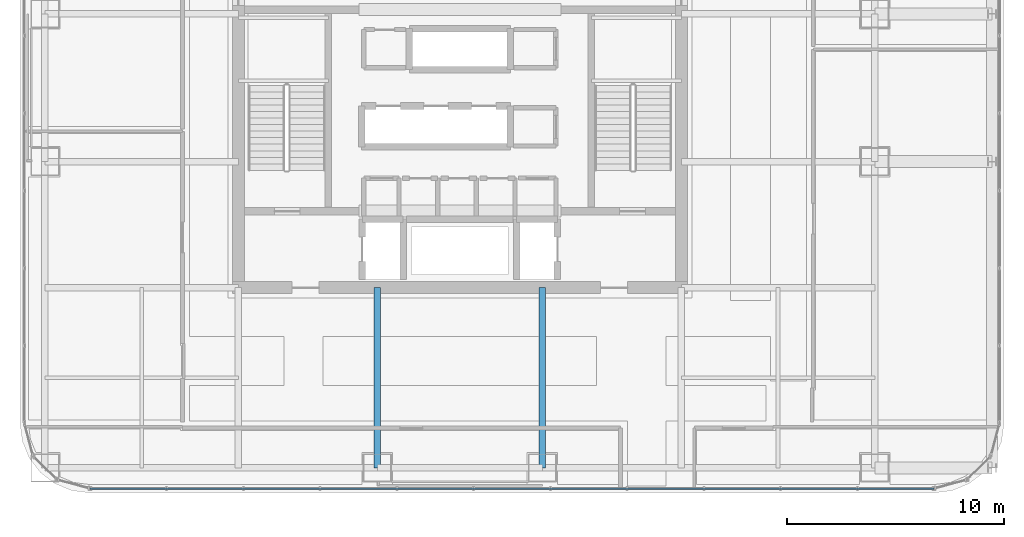
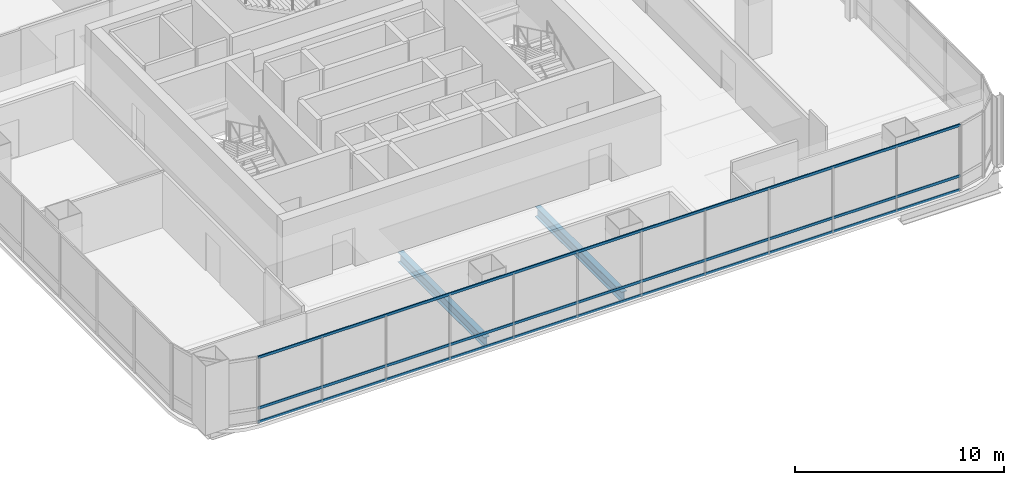
# One storey, part 7 of 40: 3 members, 2 beams, 1 element without a shape of its own.
"""IFC4 building model written with IfcOpenShell, lengths in metres."""

import ifcopenshell
import ifcopenshell.guid

model = None  # the IFC model being written
_history = None  # IfcOwnerHistory: only IFC2X3 demands one
_inside = {}  # id of a spatial element -> (the spatial element, [elements in it])
_under = {}  # id of a project, library or spatial element -> (it, [spatial elements below it])
_declared = {}  # id of a project -> (the project, [libraries it declares])
_typed = {}  # id of a type object -> (the type object, [elements of that type])
_made_of = {}  # id of a material, layer set ... -> (it, [elements and type objects made of it])


def new_model(schema):
    """Start an empty IFC model of exactly this schema.

    Asked for "IFC4X3", IfcOpenShell would pick the latest addendum, in which some entities
    have other attributes; the version numbers below select the first issue.
    IFC2X3 requires an IfcOwnerHistory on every rooted entity: one is made here for all.
    """
    global model, _history
    if schema == "IFC4X3":
        model = ifcopenshell.file(schema_version=(4, 3, 0, 0))
    else:
        model = ifcopenshell.file(schema=schema)
    _inside.clear()
    _under.clear()
    _declared.clear()
    _typed.clear()
    _made_of.clear()
    _history = None
    if model.schema == "IFC2X3":
        org = make("IfcOrganization", Name="unknown")
        user = make(
            "IfcPersonAndOrganization",
            ThePerson=make("IfcPerson", FamilyName="unknown"),
            TheOrganization=org,
        )
        app = make(
            "IfcApplication",
            ApplicationDeveloper=org,
            Version="unknown",
            ApplicationFullName="unknown",
            ApplicationIdentifier="unknown",
        )
        _history = make(
            "IfcOwnerHistory",
            OwningUser=user,
            OwningApplication=app,
            ChangeAction="ADDED",
            CreationDate=0,
        )
    return model


def make(cls, **values):
    """One entity of the class cls with the attributes given. An attribute that is None is left unset."""
    return model.create_entity(
        cls, **{name: value for name, value in values.items() if value is not None}
    )


def rooted(cls, **values):
    """An entity with a GlobalId (a new one), such as an element, a storey or a relation."""
    return make(cls, GlobalId=ifcopenshell.guid.new(), OwnerHistory=_history, **values)


def si_unit(unit_type, name, prefix=None):
    """IfcSIUnit, for example si_unit("LENGTHUNIT", "METRE", prefix="MILLI")."""
    return make("IfcSIUnit", UnitType=unit_type, Prefix=prefix, Name=name)


def assignment(units):
    """IfcUnitAssignment: the units of a project."""
    return None if units is None else make("IfcUnitAssignment", Units=units)


def point(xyz):
    """IfcCartesianPoint."""
    return None if xyz is None else make("IfcCartesianPoint", Coordinates=xyz)


def direction(xyz):
    """IfcDirection."""
    return None if xyz is None else make("IfcDirection", DirectionRatios=xyz)


def frame(location, z_axis=None, x_axis=None):
    """IfcAxis2Placement3D, a coordinate frame: its origin and axes. An axis left out is left unset."""
    return make(
        "IfcAxis2Placement3D",
        Location=point(location),
        Axis=direction(z_axis),
        RefDirection=direction(x_axis),
    )


def frame_2d(location, x_axis=None):
    """IfcAxis2Placement2D, a coordinate frame in the plane: its origin and x axis."""
    return make(
        "IfcAxis2Placement2D", Location=point(location), RefDirection=direction(x_axis)
    )


def origin():
    """The frame at (0, 0, 0) with its axes left unset."""
    return frame((0.0, 0.0, 0.0))


def origin_2d():
    """The frame at (0, 0) in the plane with its x axis left unset."""
    return frame_2d((0.0, 0.0))


def place(relative_to, where):
    """IfcLocalPlacement: puts the frame where relative to a parent placement (None: the world)."""
    return make(
        "IfcLocalPlacement", PlacementRelTo=relative_to, RelativePlacement=where
    )


def context(
    kind, dimensions, precision=None, world=None, true_north=None, identifier=None
):
    """IfcGeometricRepresentationContext, for example the 3D "Model" context."""
    return make(
        "IfcGeometricRepresentationContext",
        ContextIdentifier=identifier,
        ContextType=kind,
        CoordinateSpaceDimension=dimensions,
        Precision=precision,
        WorldCoordinateSystem=world,
        TrueNorth=true_north,
    )


def subcontext(parent, identifier, kind, view, scale=None):
    """IfcGeometricRepresentationSubContext, for example "Body" below "Model"."""
    return make(
        "IfcGeometricRepresentationSubContext",
        ContextIdentifier=identifier,
        ContextType=kind,
        ParentContext=parent,
        TargetScale=scale,
        TargetView=view,
    )


def project(units=None, contexts=None):
    """IfcProject with its units and contexts."""
    return rooted(
        "IfcProject",
        Name="project",
        RepresentationContexts=contexts,
        UnitsInContext=assignment(units),
    )


def spatial(cls, under=None, at=None, **own):
    """A site, building, storey or space (cls), placed at a placement, below another one or the project."""
    s = rooted(cls, ObjectPlacement=at, **own)
    if under is not None:
        _under.setdefault(under.id(), (under, []))[1].append(s)
    return s


def profile(cls, at=None, kind="AREA", **sizes):
    """A parametric profile (cls). Its sizes go by their IFC names, for example OverallWidth=200.0."""
    return make(cls, ProfileType=kind, Position=at, **sizes)


def hollow_rectangle(**sizes):
    """IfcRectangleHollowProfileDef."""
    return profile("IfcRectangleHollowProfileDef", **sizes)


def i_section(**sizes):
    """IfcIShapeProfileDef."""
    return profile("IfcIShapeProfileDef", **sizes)


def extrude(swept, where, along, depth):
    """IfcExtrudedAreaSolid: the profile swept, set in the frame where, extruded along a direction by depth."""
    return make(
        "IfcExtrudedAreaSolid",
        SweptArea=swept,
        Position=where,
        ExtrudedDirection=direction(along),
        Depth=depth,
    )


def shape(context_of_items, identifier, shape_type, items):
    """IfcShapeRepresentation: the items that make up one representation, for example the "Body"."""
    return make(
        "IfcShapeRepresentation",
        ContextOfItems=context_of_items,
        RepresentationIdentifier=identifier,
        RepresentationType=shape_type,
        Items=items,
    )


def material(Name=None, Category=None):
    """IfcMaterial."""
    return make("IfcMaterial", Name=Name, Category=Category)


def material_profile(
    of_material, cross_section, Name=None, Category=None, Priority=None
):
    """IfcMaterialProfile: a cross section and its material."""
    return make(
        "IfcMaterialProfile",
        Name=Name,
        Material=of_material,
        Profile=cross_section,
        Priority=Priority,
        Category=Category,
    )


def profile_set(profiles, Name=None, composite=None):
    """IfcMaterialProfileSet."""
    return make(
        "IfcMaterialProfileSet",
        Name=Name,
        MaterialProfiles=profiles,
        CompositeProfile=composite,
    )


def made_of(thing, what):
    """Note that an element or type object is made of a material, layer set ...; save() writes the relation."""
    if what is not None:
        _made_of.setdefault(what.id(), (what, []))[1].append(thing)
    return thing


def type_object(cls, material=None, **own):
    """A type object (cls), such as IfcWallType, which elements share."""
    return made_of(rooted(cls, **own), material)


def element(
    cls,
    number,
    at=None,
    inside=None,
    cuts=None,
    type_object=None,
    material=None,
    context=None,
    identifier="Body",
    shape_type=None,
    held_by="IfcProductDefinitionShape",
    body=None,
    shapes=None,
    **own,
):
    """One element of the class cls, such as IfcWall. Its Tag is "e" and its number.

    at: its placement. inside: the storey or other place that contains it. cuts: it is an
    opening in that element (IfcRelVoidsElement). A single representation is given by context,
    identifier, shape_type and body (its items); several are given by shapes. held_by: the class
    of the entity that holds the representations. save() writes the other relations.
    """
    e = rooted(cls, Tag="e%d" % number, ObjectPlacement=at, **own)
    if body is not None:
        shapes = [shape(context, identifier, shape_type, body)]
    if shapes is not None:
        e.Representation = make(held_by, Representations=shapes)
    if inside is not None:
        _inside.setdefault(inside.id(), (inside, []))[1].append(e)
    if cuts is not None:
        rooted(
            "IfcRelVoidsElement", RelatingBuildingElement=cuts, RelatedOpeningElement=e
        )
    if type_object is not None:
        _typed.setdefault(type_object.id(), (type_object, []))[1].append(e)
    return made_of(e, material)


def aggregate(whole, parts):
    """IfcRelAggregates: a whole, such as a stair, and the parts it consists of."""
    return rooted("IfcRelAggregates", RelatingObject=whole, RelatedObjects=parts)


def save(model, path):
    """Write the relations noted so far, then the file.

    IfcRelAggregates (storeys below a building ...), IfcRelContainedInSpatialStructure (elements
    in a storey), IfcRelDefinesByType, IfcRelAssociatesMaterial and IfcRelDeclares: one each for
    every whole, place, type object, material and project.
    """
    for whole, parts in _under.values():
        aggregate(whole, parts)
    for where, things in _inside.values():
        rooted(
            "IfcRelContainedInSpatialStructure",
            RelatedElements=things,
            RelatingStructure=where,
        )
    for kind, things in _typed.values():
        rooted("IfcRelDefinesByType", RelatedObjects=things, RelatingType=kind)
    for what, things in _made_of.values():
        rooted("IfcRelAssociatesMaterial", RelatedObjects=things, RelatingMaterial=what)
    for by, libraries in _declared.values():
        rooted("IfcRelDeclares", RelatingContext=by, RelatedDefinitions=libraries)
    model.write(path)


model = new_model("IFC4")

# Units and contexts
model_context = context("Model", 3, precision=1e-05, world=origin(), true_north=direction((0.0, 1.0)))
body_context = subcontext(model_context, "Body", "Model", "MODEL_VIEW")
ifc_project = project(units=[si_unit("LENGTHUNIT", "METRE"), si_unit("AREAUNIT", "SQUARE_METRE"), si_unit("VOLUMEUNIT", "CUBIC_METRE"), si_unit("PLANEANGLEUNIT", "RADIAN"), si_unit("MASSUNIT", "GRAM", prefix="KILO")], contexts=[model_context])

# Site, building, storey
site_placement = place(None, origin())
site = spatial("IfcSite", under=ifc_project, at=site_placement, CompositionType="ELEMENT")
building_placement = place(site_placement, origin())
building = spatial("IfcBuilding", under=site, at=building_placement, Name="Punatoya Terracotta Tower", CompositionType="ELEMENT")
storey_placement = place(building_placement, frame((0.0, 0.0, 271.64990234375)))
storey = spatial("IfcBuildingStorey", under=building, at=storey_placement, Name="L64", CompositionType="ELEMENT", Elevation=271.64990234375)

# Beams
ifc_material_1 = material(Name="Steel S355", Category="steel")
ifc_material_profile_1 = material_profile(ifc_material_1, i_section(OverallWidth=0.300048828125, OverallDepth=0.60009765625, WebThickness=0.015380859375, FlangeThickness=0.030029296875, FilletRadius=0.01806640625, at=origin_2d()))
ifc_profile_set_1 = profile_set([ifc_material_profile_1], Name="Steel S355")
beam_type = type_object("IfcBeamType", Name="BM-PRI-600", PredefinedType="BEAM", material=ifc_profile_set_1)
for number, where, z_axis, x_axis, name in (
    (1, (-3.800048828125, -17.5, -0.5), (0.0, 1.0, 0.0), (-1.0, 0.0, 0.0), "BM-L64-PR-S2"),
    (2, (3.800048828125, -17.5, -0.5), (0.0, 1.0, 0.0), (-1.0, 0.0, 0.0), "BM-L64-PR-S3"),
):
    element("IfcBeam", number, at=place(storey_placement, frame(where, z_axis=z_axis, x_axis=x_axis)), inside=storey, type_object=beam_type, Name=name, PredefinedType="BEAM", context=body_context, shape_type="SweptSolid", body=[
        extrude(i_section(OverallWidth=0.300048828125, OverallDepth=0.60009765625, WebThickness=0.015380859375, FlangeThickness=0.030029296875, FilletRadius=0.01806640625, at=origin_2d()), origin(), (0.0, 0.0, 1.0), 8.300048828125),
    ])

# Curtain wall, members
ifc_material_2 = material(Name="Aluminium 6063-T6 + Double Low-E Glass", Category="aluminium")
curtain_wall_type = type_object("IfcCurtainWallType", Name="CW-M3", PredefinedType="NOTDEFINED", material=ifc_material_2)
curtain_wall_placement = place(storey_placement, origin())
curtain_wall = element("IfcCurtainWall", 3, at=curtain_wall_placement, inside=storey, type_object=curtain_wall_type, Name="L64 Curtain Wall CW-L64-S01-1", PredefinedType="NOTDEFINED")
ifc_material_3 = material(Name="Aluminium 6063-T6", Category="aluminium")
ifc_material_profile_2 = material_profile(ifc_material_3, hollow_rectangle(XDim=0.068115234375, YDim=0.14990234375, WallThickness=0.00390625, at=origin_2d()))
ifc_profile_set_2 = profile_set([ifc_material_profile_2], Name="Aluminium 6063-T6")
member_type = type_object("IfcMemberType", Name="CW-TRN-TYP", PredefinedType="USERDEFINED", material=ifc_profile_set_2)
member_1_placement = place(storey_placement, frame((-17.036865234375, -18.449951171875, 0.0400390625), z_axis=(1.0, 0.0, 0.0), x_axis=(0.0, 1.0, 0.0)))
member_1 = element("IfcMember", 4, at=member_1_placement, type_object=member_type, Name="CW-L64-S01-1 Transom 1", ObjectType="TRANSOM", PredefinedType="USERDEFINED", context=body_context, shape_type="SweptSolid", body=[
    extrude(hollow_rectangle(XDim=0.068115234375, YDim=0.14990234375, WallThickness=0.00390625, at=origin_2d()), origin(), (0.0, 0.0, 1.0), 38.873779296875),
])
member_2_placement = place(storey_placement, frame((-17.036865234375, -18.449951171875, 0.85009765625), z_axis=(1.0, 0.0, 0.0), x_axis=(0.0, 1.0, 0.0)))
member_2 = element("IfcMember", 5, at=member_2_placement, type_object=member_type, Name="CW-L64-S01-1 Transom 2", ObjectType="TRANSOM", PredefinedType="USERDEFINED", context=body_context, shape_type="SweptSolid", body=[
    extrude(hollow_rectangle(XDim=0.068115234375, YDim=0.14990234375, WallThickness=0.00390625, at=origin_2d()), origin(), (0.0, 0.0, 1.0), 38.873779296875),
])
member_3_placement = place(storey_placement, frame((-17.036865234375, -18.449951171875, 3.81005859375), z_axis=(1.0, 0.0, 0.0), x_axis=(0.0, 1.0, 0.0)))
member_3 = element("IfcMember", 6, at=member_3_placement, type_object=member_type, Name="CW-L64-S01-1 Transom 3", ObjectType="TRANSOM", PredefinedType="USERDEFINED", context=body_context, shape_type="SweptSolid", body=[
    extrude(hollow_rectangle(XDim=0.068115234375, YDim=0.14990234375, WallThickness=0.00390625, at=origin_2d()), origin(), (0.0, 0.0, 1.0), 38.873779296875),
])
aggregate(curtain_wall, [member_1, member_2, member_3])

save(model, "model.ifc")
